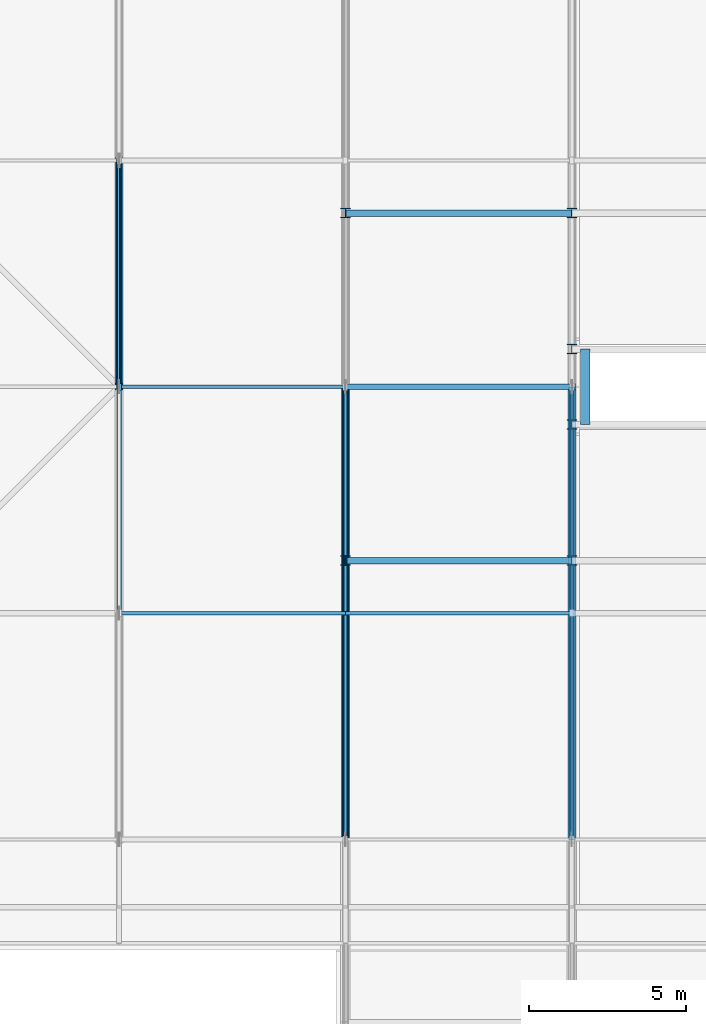
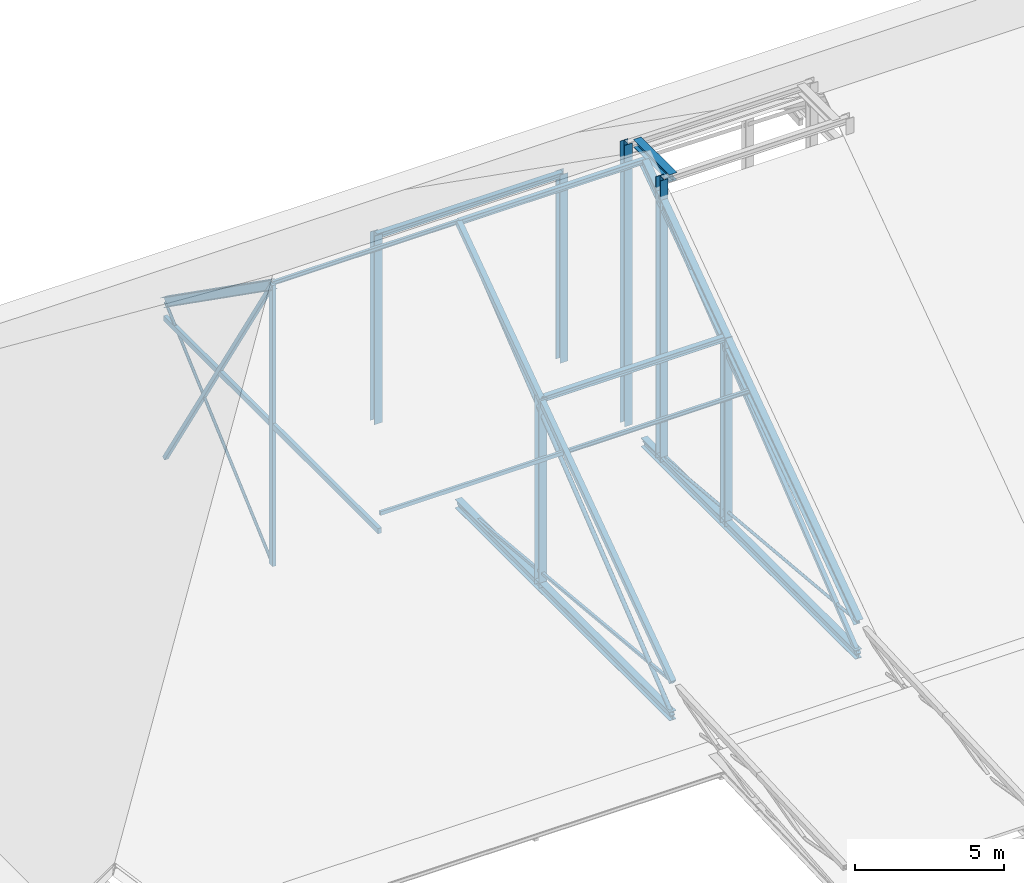
# One storey, part 4 of 100: 24 members, 2 beams.
"""IFC4 building model written with IfcOpenShell, lengths in metres."""

from ifc_helpers import new_model, si_unit, direction, frame, origin, origin_2d, place, context, subcontext, project, spatial, rectangle, hollow_rectangle, hollow_circle, i_section, extrude, material, material_profile, profile_set, type_object, element, save


model = new_model("IFC4")

# Units and contexts
model_context = context("Model", 3, precision=1e-05, world=origin(), true_north=direction((0.0, 1.0)))
body_context = subcontext(model_context, "Body", "Model", "MODEL_VIEW")
ifc_project = project(units=[si_unit("LENGTHUNIT", "METRE"), si_unit("AREAUNIT", "SQUARE_METRE"), si_unit("VOLUMEUNIT", "CUBIC_METRE"), si_unit("PLANEANGLEUNIT", "RADIAN"), si_unit("MASSUNIT", "GRAM", prefix="KILO")], contexts=[model_context])

# Site, building, storey
site_placement = place(None, origin())
site = spatial("IfcSite", under=ifc_project, at=site_placement, CompositionType="ELEMENT")
building_placement = place(site_placement, origin())
building = spatial("IfcBuilding", under=site, at=building_placement, Name="Steenspoor Specialist Clinic", CompositionType="ELEMENT")
storey_placement = place(building_placement, frame((0.0, 0.0, 9.0)))
storey = spatial("IfcBuildingStorey", under=building, at=storey_placement, Name="L02", CompositionType="ELEMENT", Elevation=9.0)

# Beams
ifc_material_1 = material(Name="Steel A992 Grade 50", Category="steel")
ifc_material_profile_1 = material_profile(ifc_material_1, i_section(OverallWidth=0.2041015625, OverallDepth=0.2060546875, WebThickness=0.0078125, FlangeThickness=0.0126953125, at=origin_2d()), Name="W200X52")
ifc_profile_set_1 = profile_set([ifc_material_profile_1], Name="Steel A992 Grade 50")
beam_type = type_object("IfcBeamType", Name="BM-ST-W200X52", PredefinedType="JOIST", material=ifc_profile_set_1)
for number, where, z_axis, x_axis, name in (
    (1, (66.800048828125, 21.924072265625, 7.814208984375), (1.0, 0.0, 0.0), (0.0, 1.0, 0.0), "Roof Sub-Facet Bearer V1 W S"),
    (2, (66.800048828125, 32.97607421875, 7.814208984375), (1.0, 0.0, 0.0), (0.0, 1.0, 0.0), "Roof Sub-Facet Bearer V1 W N"),
):
    element("IfcBeam", number, at=place(storey_placement, frame(where, z_axis=z_axis, x_axis=x_axis)), inside=storey, type_object=beam_type, Name=name, PredefinedType="JOIST", context=body_context, shape_type="SweptSolid", body=[
        extrude(i_section(OverallWidth=0.2041015625, OverallDepth=0.2060546875, WebThickness=0.0078125, FlangeThickness=0.0126953125, at=origin_2d()), origin(), (0.0, 0.0, 1.0), 7.199951171875),
    ])

# Members
ifc_material_2 = material(Name="Steel A500 Grade C", Category="steel")
ifc_material_profile_2 = material_profile(ifc_material_2, hollow_circle(Radius=0.084228515625, WallThickness=0.007080078125, at=origin_2d()), Name="CHS168X7.1")
ifc_profile_set_2 = profile_set([ifc_material_profile_2], Name="Steel A500 Grade C")
member_type_1 = type_object("IfcMemberType", Name="MEM-BRACE-CHS168", PredefinedType="BRACE", material=ifc_profile_set_2)
member_1_placement = place(storey_placement, frame((66.800048828125, 13.050048828125, 0.201416015625), z_axis=(0.0, 0.780678951437, 0.62493229616), x_axis=(-1.0, 0.0, 0.0)))
element("IfcMember", 3, at=member_1_placement, inside=storey, type_object=member_type_1, Name="ROOF TRUSS Web Brace V1 4.1", PredefinedType="BRACE", context=body_context, shape_type="SweptSolid", body=[
    extrude(hollow_circle(Radius=0.084228515625, WallThickness=0.007080078125, at=origin_2d()), origin(), (0.0, 0.0, 1.0), 18.4453125),
])
ifc_material_profile_3 = material_profile(ifc_material_2, hollow_rectangle(XDim=0.15234375, YDim=0.15234375, WallThickness=0.0087890625, at=origin_2d()), Name="HSS152X152X9.5")
ifc_profile_set_3 = profile_set([ifc_material_profile_3], Name="Steel A500 Grade C")
member_type_2 = type_object("IfcMemberType", Name="MEM-BRACE-H152", PredefinedType="BRACE", material=ifc_profile_set_3)
member_2_placement = place(storey_placement, frame((59.60009765625, 27.449951171875, 11.6630859375), z_axis=(0.0, 0.531931785748, -0.84678720781), x_axis=(-1.0, 0.0, 0.0)))
element("IfcMember", 4, at=member_2_placement, inside=storey, type_object=member_type_2, Name="ROOF TRUSS Web Brace V1 3.3", PredefinedType="BRACE", context=body_context, shape_type="SweptSolid", body=[
    extrude(hollow_rectangle(XDim=0.15234375, YDim=0.15234375, WallThickness=0.0087890625, at=origin_2d()), origin(), (0.0, 0.0, 1.0), 13.535400390625),
])
member_3_placement = place(storey_placement, frame((74.0, 13.050048828125, 0.201416015625), z_axis=(0.0, 0.782410368997, 0.622763209001), x_axis=(-1.0, 0.0, 0.0)))
element("IfcMember", 5, at=member_3_placement, inside=storey, type_object=member_type_2, Name="ROOF TRUSS Web Brace V1 5.1", PredefinedType="BRACE", context=body_context, shape_type="SweptSolid", body=[
    extrude(hollow_rectangle(XDim=0.15234375, YDim=0.15234375, WallThickness=0.0087890625, at=origin_2d()), origin(), (0.0, 0.0, 1.0), 18.404541015625),
])
ifc_material_profile_4 = material_profile(ifc_material_2, hollow_rectangle(XDim=0.203125, YDim=0.203125, WallThickness=0.01171875, at=origin_2d()), Name="HSS203X203X12.7")
ifc_profile_set_4 = profile_set([ifc_material_profile_4], Name="Steel A500 Grade C")
member_type_3 = type_object("IfcMemberType", Name="MEM-CHORD-H203", PredefinedType="CHORD", material=ifc_profile_set_4)
member_4_placement = place(storey_placement, frame((66.800048828125, 13.050048828125, 1.580078125), z_axis=(0.0, 0.817400862254, 0.576069293042), x_axis=(-1.0, 0.0, 0.0)))
element("IfcMember", 6, at=member_4_placement, inside=storey, type_object=member_type_3, Name="ROOF TRUSS Top Chord V1 4.1", PredefinedType="CHORD", context=body_context, shape_type="SweptSolid", body=[
    extrude(hollow_rectangle(XDim=0.203125, YDim=0.203125, WallThickness=0.01171875, at=origin_2d()), origin(), (0.0, 0.0, 1.0), 17.61669921875),
])
ifc_material_profile_5 = material_profile(ifc_material_1, i_section(OverallWidth=0.304931640625, OverallDepth=0.30810546875, WebThickness=0.010009765625, FlangeThickness=0.015380859375, at=origin_2d()), Name="W310X97")
ifc_profile_set_5 = profile_set([ifc_material_profile_5], Name="Steel A992 Grade 50")
member_type_4 = type_object("IfcMemberType", Name="MEM-CHORD-W310", PredefinedType="CHORD", material=ifc_profile_set_5)
for number, where, z_axis, x_axis, name in (
    (7, (74.0, 26.25, 0.199951171875), (0.0, 0.0, 1.0), (1.0, 0.0, 0.0), "ROOF TRUSS Web Post Curb V1 1L"),
    (8, (74.0, 28.64990234375, 0.199951171875), (0.0, 0.0, 1.0), (1.0, 0.0, 0.0), "ROOF TRUSS Web Post Curb V1 2L"),
):
    element("IfcMember", number, at=place(storey_placement, frame(where, z_axis=z_axis, x_axis=x_axis)), inside=storey, type_object=member_type_4, Name=name, PredefinedType="CHORD", context=body_context, shape_type="SweptSolid", body=[
        extrude(i_section(OverallWidth=0.304931640625, OverallDepth=0.30810546875, WebThickness=0.010009765625, FlangeThickness=0.015380859375, at=origin_2d()), origin(), (0.0, 0.0, 1.0), 11.533935546875),
    ])
member_5_placement = place(storey_placement, frame((74.429931640625, 26.25, 11.5859375), z_axis=(0.0, 1.0, 0.0), x_axis=(-1.0, 0.0, 0.0)))
element("IfcMember", 9, at=member_5_placement, inside=storey, type_object=member_type_4, Name="ROOF TRUSS Curb Cross Chord V1 1", PredefinedType="CHORD", context=body_context, shape_type="SweptSolid", body=[
    extrude(i_section(OverallWidth=0.304931640625, OverallDepth=0.30810546875, WebThickness=0.010009765625, FlangeThickness=0.015380859375, at=origin_2d()), origin(), (0.0, 0.0, 1.0), 2.39990234375),
])
for number, where, z_axis, x_axis, name in (
    (10, (74.0, 21.924072265625, 0.179931640625), (0.0, 0.0, 1.0), (1.0, 0.0, 0.0), "ROOF TRUSS Web Post Sub-Facet V1 MSL"),
    (11, (74.0, 32.97607421875, 0.179931640625), (0.0, 0.0, 1.0), (1.0, 0.0, 0.0), "ROOF TRUSS Web Post Sub-Facet V1 MNL"),
):
    element("IfcMember", number, at=place(storey_placement, frame(where, z_axis=z_axis, x_axis=x_axis)), inside=storey, type_object=member_type_4, Name=name, PredefinedType="CHORD", context=body_context, shape_type="SweptSolid", body=[
        extrude(i_section(OverallWidth=0.304931640625, OverallDepth=0.30810546875, WebThickness=0.010009765625, FlangeThickness=0.015380859375, at=origin_2d()), origin(), (0.0, 0.0, 1.0), 7.714111328125),
    ])
for number, where, z_axis, x_axis, name in (
    (12, (66.800048828125, 21.924072265625, 0.179931640625), (0.0, 0.0, 1.0), (1.0, 0.0, 0.0), "ROOF TRUSS Web Post Sub-Facet V1 WSL"),
    (13, (66.800048828125, 32.97607421875, 0.179931640625), (0.0, 0.0, 1.0), (1.0, 0.0, 0.0), "ROOF TRUSS Web Post Sub-Facet V1 WNL"),
):
    element("IfcMember", number, at=place(storey_placement, frame(where, z_axis=z_axis, x_axis=x_axis)), inside=storey, type_object=member_type_4, Name=name, PredefinedType="CHORD", context=body_context, shape_type="SweptSolid", body=[
        extrude(i_section(OverallWidth=0.304931640625, OverallDepth=0.30810546875, WebThickness=0.010009765625, FlangeThickness=0.015380859375, at=origin_2d()), origin(), (0.0, 0.0, 1.0), 7.734130859375),
    ])
ifc_material_profile_6 = material_profile(ifc_material_1, i_section(OverallWidth=0.257080078125, OverallDepth=0.363037109375, WebThickness=0.012939453125, FlangeThickness=0.021728515625, at=origin_2d()), Name="W360X122")
ifc_profile_set_6 = profile_set([ifc_material_profile_6], Name="Steel A992 Grade 50")
member_type_5 = type_object("IfcMemberType", Name="MEM-CHORD-W360", PredefinedType="CHORD", material=ifc_profile_set_6)
member_6_placement = place(storey_placement, frame((59.60009765625, 27.449951171875, 11.6630859375), z_axis=(0.0, 0.817413913602, -0.576050773673), x_axis=(-1.0, 0.0, 0.0)))
element("IfcMember", 14, at=member_6_placement, inside=storey, type_object=member_type_5, Name="ROOF TRUSS Top Chord V1 3.3", PredefinedType="CHORD", context=body_context, shape_type="SweptSolid", body=[
    extrude(i_section(OverallWidth=0.257080078125, OverallDepth=0.363037109375, WebThickness=0.012939453125, FlangeThickness=0.021728515625, at=origin_2d()), origin(), (0.0, 0.0, 1.0), 8.80810546875),
])
for number, where, z_axis, x_axis, name in (
    (15, (66.800048828125, 13.050048828125, 0.201416015625), (0.0, 1.0, 0.0), (-1.0, 0.0, 0.0), "ROOF TRUSS Bottom Chord V1 4.1"),
    (16, (74.0, 13.050048828125, 0.201416015625), (0.0, 1.0, 0.0), (-1.0, 0.0, 0.0), "ROOF TRUSS Bottom Chord V1 5.1"),
):
    element("IfcMember", number, at=place(storey_placement, frame(where, z_axis=z_axis, x_axis=x_axis)), inside=storey, type_object=member_type_5, Name=name, PredefinedType="CHORD", context=body_context, shape_type="SweptSolid", body=[
        extrude(i_section(OverallWidth=0.257080078125, OverallDepth=0.363037109375, WebThickness=0.012939453125, FlangeThickness=0.021728515625, at=origin_2d()), origin(), (0.0, 0.0, 1.0), 14.39990234375),
    ])
member_7_placement = place(storey_placement, frame((74.0, 13.050048828125, 1.514892578125), z_axis=(0.0, 0.817407387929, 0.576060033468), x_axis=(-1.0, 0.0, 0.0)))
element("IfcMember", 17, at=member_7_placement, inside=storey, type_object=member_type_5, Name="ROOF TRUSS Top Chord V1 5.1", PredefinedType="CHORD", context=body_context, shape_type="SweptSolid", body=[
    extrude(i_section(OverallWidth=0.257080078125, OverallDepth=0.363037109375, WebThickness=0.012939453125, FlangeThickness=0.021728515625, at=origin_2d()), origin(), (0.0, 0.0, 1.0), 17.616455078125),
])
ifc_material_profile_7 = material_profile(ifc_material_2, hollow_rectangle(XDim=0.1015625, YDim=0.15234375, WallThickness=0.005859375, at=origin_2d()), Name="HSS152X102X6.4")
ifc_profile_set_7 = profile_set([ifc_material_profile_7], Name="Steel A500 Grade C")
member_type_6 = type_object("IfcMemberType", Name="MEM-PURLIN-H152", PredefinedType="PURLIN", material=ifc_profile_set_7)
member_8_placement = place(storey_placement, frame((59.60009765625, 20.25, 6.6611328125), z_axis=(1.0, 0.0, 0.0), x_axis=(0.0, 1.0, 0.0)))
element("IfcMember", 18, at=member_8_placement, inside=storey, type_object=member_type_6, Name="ROOF TRUSS Purlin 49", PredefinedType="PURLIN", context=body_context, shape_type="SweptSolid", body=[
    extrude(hollow_rectangle(XDim=0.1015625, YDim=0.15234375, WallThickness=0.005859375, at=origin_2d()), origin(), (0.0, 0.0, 1.0), 7.199951171875),
])
ifc_material_profile_8 = material_profile(ifc_material_1, i_section(OverallWidth=0.10205078125, OverallDepth=0.159912109375, WebThickness=0.006591796875, FlangeThickness=0.01025390625, at=origin_2d()), Name="W150X24")
ifc_profile_set_8 = profile_set([ifc_material_profile_8], Name="Steel A992 Grade 50")
member_type_7 = type_object("IfcMemberType", Name="MEM-PURLIN-W150", PredefinedType="PURLIN", material=ifc_profile_set_8)
for number, where, z_axis, x_axis, name in (
    (19, (59.60009765625, 27.449951171875, 11.7314453125), (1.0, 0.0, 0.0), (0.0, 1.0, 0.0), "ROOF TRUSS Purlin 50"),
    (20, (66.800048828125, 20.25, 6.657470703125), (1.0, 0.0, 0.0), (0.0, 1.0, 0.0), "ROOF TRUSS Purlin 54"),
):
    element("IfcMember", number, at=place(storey_placement, frame(where, z_axis=z_axis, x_axis=x_axis)), inside=storey, type_object=member_type_7, Name=name, PredefinedType="PURLIN", context=body_context, shape_type="SweptSolid", body=[
        extrude(i_section(OverallWidth=0.10205078125, OverallDepth=0.159912109375, WebThickness=0.006591796875, FlangeThickness=0.01025390625, at=origin_2d()), origin(), (0.0, 0.0, 1.0), 7.199951171875),
    ])
ifc_material_profile_9 = material_profile(ifc_material_1, i_section(OverallWidth=0.1650390625, OverallDepth=0.200927734375, WebThickness=0.006103515625, FlangeThickness=0.01025390625, at=origin_2d()), Name="W200X36")
ifc_profile_set_9 = profile_set([ifc_material_profile_9], Name="Steel A992 Grade 50")
member_type_8 = type_object("IfcMemberType", Name="MEM-PURLIN-W200", PredefinedType="PURLIN", material=ifc_profile_set_9)
member_9_placement = place(storey_placement, frame((66.800048828125, 27.449951171875, 11.7109375), z_axis=(1.0, 0.0, 0.0), x_axis=(0.0, 1.0, 0.0)))
element("IfcMember", 21, at=member_9_placement, inside=storey, type_object=member_type_8, Name="ROOF TRUSS Purlin 55", PredefinedType="PURLIN", context=body_context, shape_type="SweptSolid", body=[
    extrude(i_section(OverallWidth=0.1650390625, OverallDepth=0.200927734375, WebThickness=0.006103515625, FlangeThickness=0.01025390625, at=origin_2d()), origin(), (0.0, 0.0, 1.0), 7.199951171875),
])
ifc_material_3 = material(Name="Glulam GL28h", Category="wood")
ifc_material_profile_10 = material_profile(ifc_material_3, rectangle(XDim=0.139892578125, YDim=0.219970703125, at=origin_2d()), Name="GL28H-140X220")
ifc_profile_set_10 = profile_set([ifc_material_profile_10], Name="Glulam GL28h")
member_type_9 = type_object("IfcMemberType", Name="MEM-RAFTER-GL220", PredefinedType="RAFTER", material=ifc_profile_set_10)
member_10_placement = place(storey_placement, frame((59.60009765625, 20.25, 5.931884765625), z_axis=(0.0, 1.0, 0.0), x_axis=(-1.0, 0.0, 0.0)))
element("IfcMember", 22, at=member_10_placement, inside=storey, type_object=member_type_9, Name="ROOF TRUSS Glulam Collar Rafter V1 3", PredefinedType="RAFTER", context=body_context, shape_type="SweptSolid", body=[
    extrude(rectangle(XDim=0.139892578125, YDim=0.219970703125, at=origin_2d()), origin(), (0.0, 0.0, 1.0), 14.39990234375),
])
member_11_placement = place(storey_placement, frame((59.60009765625, 27.449951171875, 0.179931640625), z_axis=(0.0, 0.0, 1.0), x_axis=(1.0, 0.0, 0.0)))
element("IfcMember", 23, at=member_11_placement, inside=storey, type_object=member_type_9, Name="ROOF TRUSS Hip King Post V1 W", PredefinedType="RAFTER", context=body_context, shape_type="SweptSolid", body=[
    extrude(rectangle(XDim=0.139892578125, YDim=0.219970703125, at=origin_2d()), origin(), (0.0, 0.0, 1.0), 11.523193359375),
])
ifc_material_profile_11 = material_profile(ifc_material_2, hollow_circle(Radius=0.05712890625, WallThickness=0.006103515625, at=origin_2d()), Name="CHS114X6.0")
ifc_profile_set_11 = profile_set([ifc_material_profile_11], Name="Steel A500 Grade C")
member_type_10 = type_object("IfcMemberType", Name="MEM-STRUT-CHS114", PredefinedType="STRUT", material=ifc_profile_set_11)
member_12_placement = place(storey_placement, frame((59.60009765625, 27.449951171875, 0.201416015625), z_axis=(0.0, 0.74804153249, 0.663651916045), x_axis=(-1.0, 0.0, 0.0)))
element("IfcMember", 24, at=member_12_placement, inside=storey, type_object=member_type_10, Name="ROOF TRUSS Web Strut V1 3.3", PredefinedType="STRUT", context=body_context, shape_type="SweptSolid", body=[
    extrude(hollow_circle(Radius=0.05712890625, WallThickness=0.006103515625, at=origin_2d()), origin(), (0.0, 0.0, 1.0), 9.625),
])
member_13_placement = place(storey_placement, frame((74.0, 13.050048828125, 1.514892578125), z_axis=(0.0, 0.995865758574, -0.090837166951), x_axis=(-1.0, 0.0, 0.0)))
element("IfcMember", 25, at=member_13_placement, inside=storey, type_object=member_type_10, Name="ROOF TRUSS Web Strut V1 5.1", PredefinedType="STRUT", context=body_context, shape_type="SweptSolid", body=[
    extrude(hollow_circle(Radius=0.05712890625, WallThickness=0.006103515625, at=origin_2d()), origin(), (0.0, 0.0, 1.0), 14.459716796875),
])
ifc_material_profile_12 = material_profile(ifc_material_2, hollow_rectangle(XDim=0.1015625, YDim=0.1015625, WallThickness=0.005859375, at=origin_2d()), Name="HSS102X102X6.4")
ifc_profile_set_12 = profile_set([ifc_material_profile_12], Name="Steel A500 Grade C")
member_type_11 = type_object("IfcMemberType", Name="MEM-STRUT-H102", PredefinedType="STRUT", material=ifc_profile_set_12)
member_14_placement = place(storey_placement, frame((66.800048828125, 13.050048828125, 1.580078125), z_axis=(0.0, 0.995448092914, -0.095305269077), x_axis=(-1.0, 0.0, 0.0)))
element("IfcMember", 26, at=member_14_placement, inside=storey, type_object=member_type_11, Name="ROOF TRUSS Web Strut V1 4.1", PredefinedType="STRUT", context=body_context, shape_type="SweptSolid", body=[
    extrude(hollow_rectangle(XDim=0.1015625, YDim=0.1015625, WallThickness=0.005859375, at=origin_2d()), origin(), (0.0, 0.0, 1.0), 14.4658203125),
])

save(model, "model.ifc")
